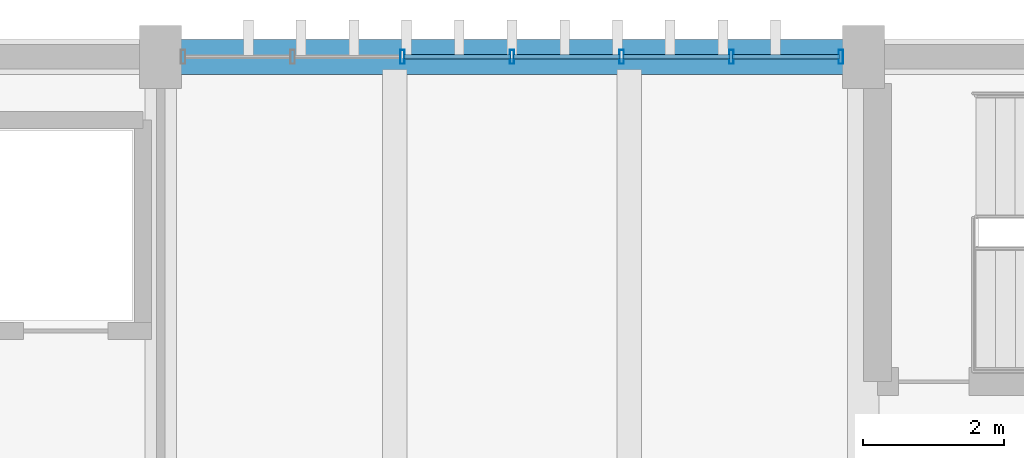
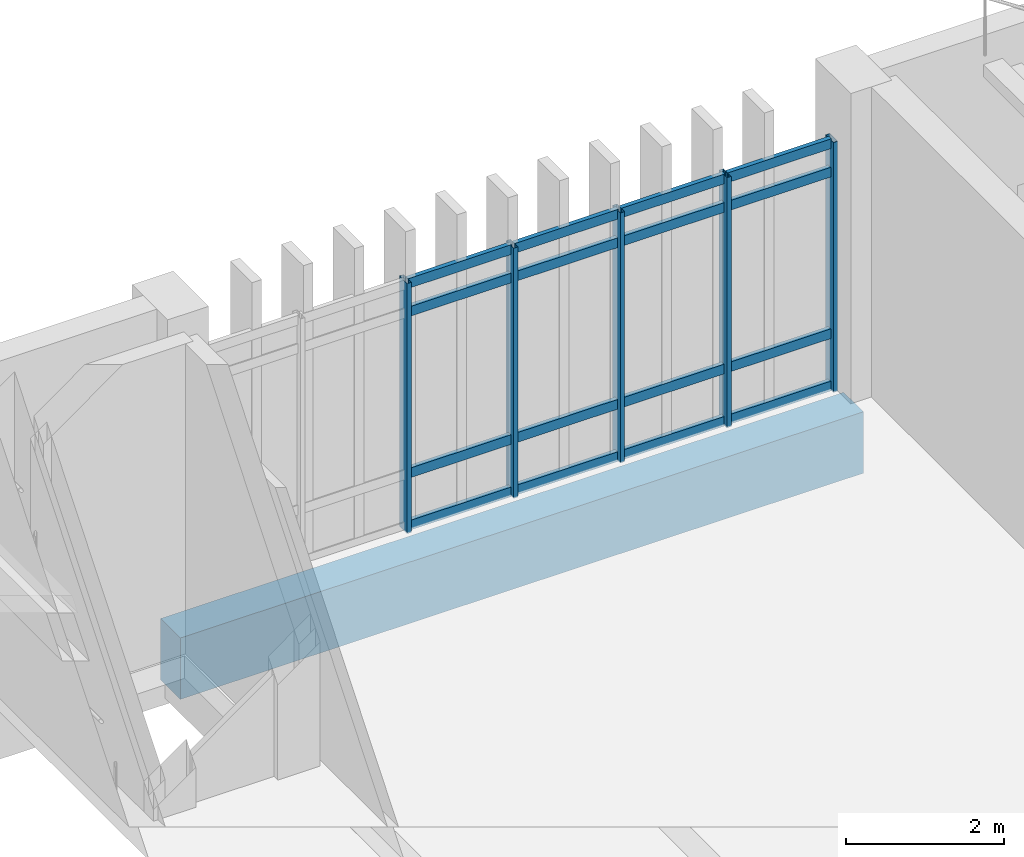
# One storey, part 52 of 87: 21 members, 1 beam, 1 element without a shape of its own.
"""IFC4 building model written with IfcOpenShell, lengths in metres."""

from ifc_helpers import new_model, si_unit, direction, frame, origin, origin_2d, place, context, subcontext, project, spatial, rectangle, hollow_rectangle, extrude, material, layer, layer_set, material_profile, profile_set, type_object, element, aggregate, save


model = new_model("IFC4")

# Units and contexts
model_context = context("Model", 3, precision=1e-05, world=origin(), true_north=direction((0.0, 1.0)))
body_context = subcontext(model_context, "Body", "Model", "MODEL_VIEW")
ifc_project = project(units=[si_unit("LENGTHUNIT", "METRE"), si_unit("AREAUNIT", "SQUARE_METRE"), si_unit("VOLUMEUNIT", "CUBIC_METRE"), si_unit("PLANEANGLEUNIT", "RADIAN"), si_unit("MASSUNIT", "GRAM", prefix="KILO")], contexts=[model_context])

# Site, building, storey
site_placement = place(None, origin())
site = spatial("IfcSite", under=ifc_project, at=site_placement, CompositionType="ELEMENT")
building_placement = place(site_placement, origin())
building = spatial("IfcBuilding", under=site, at=building_placement, Name="Mersad Railyard Sports Hall", CompositionType="ELEMENT")
storey_placement = place(building_placement, origin())
storey = spatial("IfcBuildingStorey", under=building, at=storey_placement, Name="L00", CompositionType="ELEMENT", Elevation=0.0)

# Curtain wall, members
ifc_material_1 = material(Name="Aluminium 6063-T6", Category="aluminium")
ifc_layer = layer(ifc_material_1, 0.199951171875)
ifc_layer_set = layer_set([ifc_layer], Name="Aluminium 6063-T6")
curtain_wall_type = type_object("IfcCurtainWallType", Name="ARC-CW-CW29", PredefinedType="USERDEFINED", material=ifc_layer_set)
curtain_wall_placement = place(storey_placement, origin())
curtain_wall = element("IfcCurtainWall", 1, at=curtain_wall_placement, inside=storey, type_object=curtain_wall_type, Name="Curtain wall CW29-0085", ObjectType="CURTAIN WALL", PredefinedType="USERDEFINED")
ifc_material_profile_1 = material_profile(ifc_material_1, hollow_rectangle(XDim=0.06494140625, YDim=0.199951171875, WallThickness=0.0048828125, at=origin_2d()), Name="AL MULLION 65x200x5")
ifc_profile_set_1 = profile_set([ifc_material_profile_1], Name="Aluminium 6063-T6")
member_type_1 = type_object("IfcMemberType", Name="ARC-CW-MUL02", PredefinedType="MULLION", material=ifc_profile_set_1)
member_1_placement = place(storey_placement, frame((104.43994140625, 115.0, -0.02001953125), z_axis=(0.0, 0.0, 1.0), x_axis=(1.0, 0.0, 0.0)))
member_1 = element("IfcMember", 2, at=member_1_placement, type_object=member_type_1, Name="CW29 Mullion 3", PredefinedType="MULLION", context=body_context, shape_type="SweptSolid", body=[
    extrude(hollow_rectangle(XDim=0.06494140625, YDim=0.199951171875, WallThickness=0.0048828125, at=origin_2d()), origin(), (0.0, 0.0, 1.0), 3.8701171875),
])
member_2_placement = place(storey_placement, frame((106.0, 115.0, -0.02001953125), z_axis=(0.0, 0.0, 1.0), x_axis=(1.0, 0.0, 0.0)))
member_2 = element("IfcMember", 3, at=member_2_placement, type_object=member_type_1, Name="CW29 Mullion 4", PredefinedType="MULLION", context=body_context, shape_type="SweptSolid", body=[
    extrude(hollow_rectangle(XDim=0.06494140625, YDim=0.199951171875, WallThickness=0.0048828125, at=origin_2d()), origin(), (0.0, 0.0, 1.0), 3.8701171875),
])
member_3_placement = place(storey_placement, frame((107.56005859375, 115.0, -0.02001953125), z_axis=(0.0, 0.0, 1.0), x_axis=(1.0, 0.0, 0.0)))
member_3 = element("IfcMember", 4, at=member_3_placement, type_object=member_type_1, Name="CW29 Mullion 5", PredefinedType="MULLION", context=body_context, shape_type="SweptSolid", body=[
    extrude(hollow_rectangle(XDim=0.06494140625, YDim=0.199951171875, WallThickness=0.0048828125, at=origin_2d()), origin(), (0.0, 0.0, 1.0), 3.8701171875),
])
member_4_placement = place(storey_placement, frame((109.1201171875, 115.0, -0.02001953125), z_axis=(0.0, 0.0, 1.0), x_axis=(1.0, 0.0, 0.0)))
member_4 = element("IfcMember", 5, at=member_4_placement, type_object=member_type_1, Name="CW29 Mullion 6", PredefinedType="MULLION", context=body_context, shape_type="SweptSolid", body=[
    extrude(hollow_rectangle(XDim=0.06494140625, YDim=0.199951171875, WallThickness=0.0048828125, at=origin_2d()), origin(), (0.0, 0.0, 1.0), 3.8701171875),
])
member_5_placement = place(storey_placement, frame((110.679931640625, 115.0, -0.02001953125), z_axis=(0.0, 0.0, 1.0), x_axis=(1.0, 0.0, 0.0)))
member_5 = element("IfcMember", 6, at=member_5_placement, type_object=member_type_1, Name="CW29 Mullion 7", PredefinedType="MULLION", context=body_context, shape_type="SweptSolid", body=[
    extrude(hollow_rectangle(XDim=0.06494140625, YDim=0.199951171875, WallThickness=0.0048828125, at=origin_2d()), origin(), (0.0, 0.0, 1.0), 3.8701171875),
])
ifc_material_profile_2 = material_profile(ifc_material_1, hollow_rectangle(XDim=0.06494140625, YDim=0.14990234375, WallThickness=0.00439453125, at=origin_2d()), Name="AL TRANSOM 65x150x4.5")
ifc_profile_set_2 = profile_set([ifc_material_profile_2], Name="Aluminium 6063-T6")
member_type_2 = type_object("IfcMemberType", Name="ARC-CW-TRN02", PredefinedType="USERDEFINED", material=ifc_profile_set_2)
member_6_placement = place(storey_placement, frame((104.4599609375, 115.0, 0.0400390625), z_axis=(1.0, 0.0, 0.0), x_axis=(0.0, 1.0, 0.0)))
member_6 = element("IfcMember", 7, at=member_6_placement, type_object=member_type_2, Name="CW29 Transom 1-3", ObjectType="TRANSOM", PredefinedType="USERDEFINED", context=body_context, shape_type="SweptSolid", body=[
    extrude(hollow_rectangle(XDim=0.06494140625, YDim=0.14990234375, WallThickness=0.00439453125, at=origin_2d()), origin(), (0.0, 0.0, 1.0), 1.52001953125),
])
member_7_placement = place(storey_placement, frame((106.02001953125, 115.0, 0.0400390625), z_axis=(1.0, 0.0, 0.0), x_axis=(0.0, 1.0, 0.0)))
member_7 = element("IfcMember", 8, at=member_7_placement, type_object=member_type_2, Name="CW29 Transom 1-4", ObjectType="TRANSOM", PredefinedType="USERDEFINED", context=body_context, shape_type="SweptSolid", body=[
    extrude(hollow_rectangle(XDim=0.06494140625, YDim=0.14990234375, WallThickness=0.00439453125, at=origin_2d()), origin(), (0.0, 0.0, 1.0), 1.52001953125),
])
member_8_placement = place(storey_placement, frame((107.580078125, 115.0, 0.0400390625), z_axis=(1.0, 0.0, 0.0), x_axis=(0.0, 1.0, 0.0)))
member_8 = element("IfcMember", 9, at=member_8_placement, type_object=member_type_2, Name="CW29 Transom 1-5", ObjectType="TRANSOM", PredefinedType="USERDEFINED", context=body_context, shape_type="SweptSolid", body=[
    extrude(hollow_rectangle(XDim=0.06494140625, YDim=0.14990234375, WallThickness=0.00439453125, at=origin_2d()), origin(), (0.0, 0.0, 1.0), 1.52001953125),
])
member_9_placement = place(storey_placement, frame((109.139892578125, 115.0, 0.0400390625), z_axis=(1.0, 0.0, 0.0), x_axis=(0.0, 1.0, 0.0)))
member_9 = element("IfcMember", 10, at=member_9_placement, type_object=member_type_2, Name="CW29 Transom 1-6", ObjectType="TRANSOM", PredefinedType="USERDEFINED", context=body_context, shape_type="SweptSolid", body=[
    extrude(hollow_rectangle(XDim=0.06494140625, YDim=0.14990234375, WallThickness=0.00439453125, at=origin_2d()), origin(), (0.0, 0.0, 1.0), 1.52001953125),
])
member_10_placement = place(storey_placement, frame((104.4599609375, 115.0, 0.85009765625), z_axis=(1.0, 0.0, 0.0), x_axis=(0.0, 1.0, 0.0)))
member_10 = element("IfcMember", 11, at=member_10_placement, type_object=member_type_2, Name="CW29 Transom 2-3", ObjectType="TRANSOM", PredefinedType="USERDEFINED", context=body_context, shape_type="SweptSolid", body=[
    extrude(hollow_rectangle(XDim=0.06494140625, YDim=0.14990234375, WallThickness=0.00439453125, at=origin_2d()), origin(), (0.0, 0.0, 1.0), 1.52001953125),
])
member_11_placement = place(storey_placement, frame((106.02001953125, 115.0, 0.85009765625), z_axis=(1.0, 0.0, 0.0), x_axis=(0.0, 1.0, 0.0)))
member_11 = element("IfcMember", 12, at=member_11_placement, type_object=member_type_2, Name="CW29 Transom 2-4", ObjectType="TRANSOM", PredefinedType="USERDEFINED", context=body_context, shape_type="SweptSolid", body=[
    extrude(hollow_rectangle(XDim=0.06494140625, YDim=0.14990234375, WallThickness=0.00439453125, at=origin_2d()), origin(), (0.0, 0.0, 1.0), 1.52001953125),
])
member_12_placement = place(storey_placement, frame((107.580078125, 115.0, 0.85009765625), z_axis=(1.0, 0.0, 0.0), x_axis=(0.0, 1.0, 0.0)))
member_12 = element("IfcMember", 13, at=member_12_placement, type_object=member_type_2, Name="CW29 Transom 2-5", ObjectType="TRANSOM", PredefinedType="USERDEFINED", context=body_context, shape_type="SweptSolid", body=[
    extrude(hollow_rectangle(XDim=0.06494140625, YDim=0.14990234375, WallThickness=0.00439453125, at=origin_2d()), origin(), (0.0, 0.0, 1.0), 1.52001953125),
])
member_13_placement = place(storey_placement, frame((109.139892578125, 115.0, 0.85009765625), z_axis=(1.0, 0.0, 0.0), x_axis=(0.0, 1.0, 0.0)))
member_13 = element("IfcMember", 14, at=member_13_placement, type_object=member_type_2, Name="CW29 Transom 2-6", ObjectType="TRANSOM", PredefinedType="USERDEFINED", context=body_context, shape_type="SweptSolid", body=[
    extrude(hollow_rectangle(XDim=0.06494140625, YDim=0.14990234375, WallThickness=0.00439453125, at=origin_2d()), origin(), (0.0, 0.0, 1.0), 1.52001953125),
])
member_14_placement = place(storey_placement, frame((104.4599609375, 115.0, 3.35009765625), z_axis=(1.0, 0.0, 0.0), x_axis=(0.0, 1.0, 0.0)))
member_14 = element("IfcMember", 15, at=member_14_placement, type_object=member_type_2, Name="CW29 Transom 3-3", ObjectType="TRANSOM", PredefinedType="USERDEFINED", context=body_context, shape_type="SweptSolid", body=[
    extrude(hollow_rectangle(XDim=0.06494140625, YDim=0.14990234375, WallThickness=0.00439453125, at=origin_2d()), origin(), (0.0, 0.0, 1.0), 1.52001953125),
])
member_15_placement = place(storey_placement, frame((106.02001953125, 115.0, 3.35009765625), z_axis=(1.0, 0.0, 0.0), x_axis=(0.0, 1.0, 0.0)))
member_15 = element("IfcMember", 16, at=member_15_placement, type_object=member_type_2, Name="CW29 Transom 3-4", ObjectType="TRANSOM", PredefinedType="USERDEFINED", context=body_context, shape_type="SweptSolid", body=[
    extrude(hollow_rectangle(XDim=0.06494140625, YDim=0.14990234375, WallThickness=0.00439453125, at=origin_2d()), origin(), (0.0, 0.0, 1.0), 1.52001953125),
])
member_16_placement = place(storey_placement, frame((107.580078125, 115.0, 3.35009765625), z_axis=(1.0, 0.0, 0.0), x_axis=(0.0, 1.0, 0.0)))
member_16 = element("IfcMember", 17, at=member_16_placement, type_object=member_type_2, Name="CW29 Transom 3-5", ObjectType="TRANSOM", PredefinedType="USERDEFINED", context=body_context, shape_type="SweptSolid", body=[
    extrude(hollow_rectangle(XDim=0.06494140625, YDim=0.14990234375, WallThickness=0.00439453125, at=origin_2d()), origin(), (0.0, 0.0, 1.0), 1.52001953125),
])
member_17_placement = place(storey_placement, frame((109.139892578125, 115.0, 3.35009765625), z_axis=(1.0, 0.0, 0.0), x_axis=(0.0, 1.0, 0.0)))
member_17 = element("IfcMember", 18, at=member_17_placement, type_object=member_type_2, Name="CW29 Transom 3-6", ObjectType="TRANSOM", PredefinedType="USERDEFINED", context=body_context, shape_type="SweptSolid", body=[
    extrude(hollow_rectangle(XDim=0.06494140625, YDim=0.14990234375, WallThickness=0.00439453125, at=origin_2d()), origin(), (0.0, 0.0, 1.0), 1.52001953125),
])
member_18_placement = place(storey_placement, frame((104.4599609375, 115.0, 3.7900390625), z_axis=(1.0, 0.0, 0.0), x_axis=(0.0, 1.0, 0.0)))
member_18 = element("IfcMember", 19, at=member_18_placement, type_object=member_type_2, Name="CW29 Transom 4-3", ObjectType="TRANSOM", PredefinedType="USERDEFINED", context=body_context, shape_type="SweptSolid", body=[
    extrude(hollow_rectangle(XDim=0.06494140625, YDim=0.14990234375, WallThickness=0.00439453125, at=origin_2d()), origin(), (0.0, 0.0, 1.0), 1.52001953125),
])
member_19_placement = place(storey_placement, frame((106.02001953125, 115.0, 3.7900390625), z_axis=(1.0, 0.0, 0.0), x_axis=(0.0, 1.0, 0.0)))
member_19 = element("IfcMember", 20, at=member_19_placement, type_object=member_type_2, Name="CW29 Transom 4-4", ObjectType="TRANSOM", PredefinedType="USERDEFINED", context=body_context, shape_type="SweptSolid", body=[
    extrude(hollow_rectangle(XDim=0.06494140625, YDim=0.14990234375, WallThickness=0.00439453125, at=origin_2d()), origin(), (0.0, 0.0, 1.0), 1.52001953125),
])
member_20_placement = place(storey_placement, frame((107.580078125, 115.0, 3.7900390625), z_axis=(1.0, 0.0, 0.0), x_axis=(0.0, 1.0, 0.0)))
member_20 = element("IfcMember", 21, at=member_20_placement, type_object=member_type_2, Name="CW29 Transom 4-5", ObjectType="TRANSOM", PredefinedType="USERDEFINED", context=body_context, shape_type="SweptSolid", body=[
    extrude(hollow_rectangle(XDim=0.06494140625, YDim=0.14990234375, WallThickness=0.00439453125, at=origin_2d()), origin(), (0.0, 0.0, 1.0), 1.52001953125),
])
member_21_placement = place(storey_placement, frame((109.139892578125, 115.0, 3.7900390625), z_axis=(1.0, 0.0, 0.0), x_axis=(0.0, 1.0, 0.0)))
member_21 = element("IfcMember", 22, at=member_21_placement, type_object=member_type_2, Name="CW29 Transom 4-6", ObjectType="TRANSOM", PredefinedType="USERDEFINED", context=body_context, shape_type="SweptSolid", body=[
    extrude(hollow_rectangle(XDim=0.06494140625, YDim=0.14990234375, WallThickness=0.00439453125, at=origin_2d()), origin(), (0.0, 0.0, 1.0), 1.52001953125),
])
aggregate(curtain_wall, [member_1, member_2, member_3, member_4, member_5, member_6, member_7, member_8, member_9, member_10, member_11, member_12, member_13, member_14, member_15, member_16, member_17, member_18, member_19, member_20, member_21])

# Beam
ifc_material_2 = material(Name="Concrete C50/60", Category="concrete")
ifc_material_profile_3 = material_profile(ifc_material_2, rectangle(XDim=0.5, YDim=0.949951171875, at=origin_2d()), Name="RC 500x950")
ifc_profile_set_3 = profile_set([ifc_material_profile_3], Name="Concrete C50/60")
beam_type = type_object("IfcBeamType", Name="STR-BM-B03", PredefinedType="BEAM", material=ifc_profile_set_3)
beam_placement = place(storey_placement, frame((101.0, 115.0, -0.824951171875), z_axis=(1.0, 0.0, 0.0), x_axis=(0.0, 1.0, 0.0)))
element("IfcBeam", 23, at=beam_placement, inside=storey, type_object=beam_type, Name="Beam B03-0171", PredefinedType="BEAM", context=body_context, shape_type="SweptSolid", body=[
    extrude(rectangle(XDim=0.5, YDim=0.949951171875, at=origin_2d()), origin(), (0.0, 0.0, 1.0), 10.0),
])

save(model, "model.ifc")
